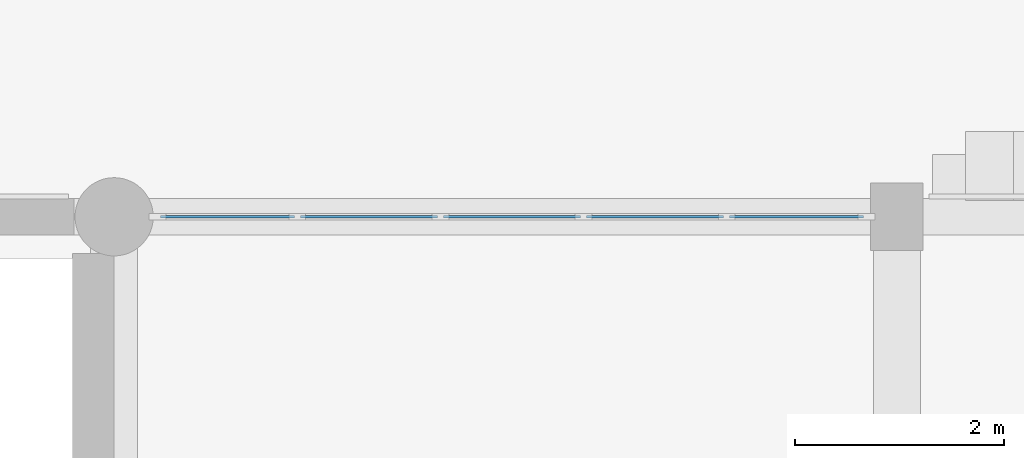
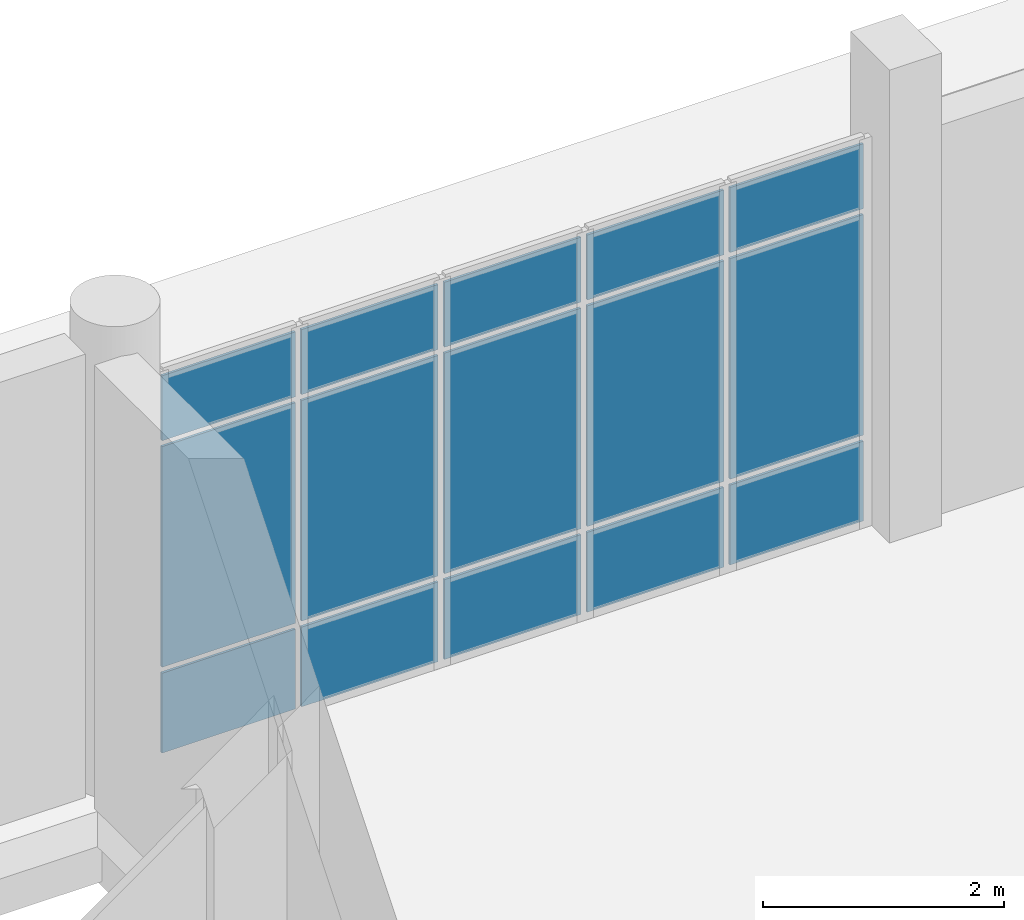
# One storey, part 81 of 125: 15 plates, 1 element without a shape of its own.
"""IFC4 building model written with IfcOpenShell, lengths in metres."""

import ifcopenshell
import ifcopenshell.guid

model = None  # the IFC model being written
_history = None  # IfcOwnerHistory: only IFC2X3 demands one
_inside = {}  # id of a spatial element -> (the spatial element, [elements in it])
_under = {}  # id of a project, library or spatial element -> (it, [spatial elements below it])
_declared = {}  # id of a project -> (the project, [libraries it declares])
_typed = {}  # id of a type object -> (the type object, [elements of that type])
_made_of = {}  # id of a material, layer set ... -> (it, [elements and type objects made of it])


def new_model(schema):
    """Start an empty IFC model of exactly this schema.

    Asked for "IFC4X3", IfcOpenShell would pick the latest addendum, in which some entities
    have other attributes; the version numbers below select the first issue.
    IFC2X3 requires an IfcOwnerHistory on every rooted entity: one is made here for all.
    """
    global model, _history
    if schema == "IFC4X3":
        model = ifcopenshell.file(schema_version=(4, 3, 0, 0))
    else:
        model = ifcopenshell.file(schema=schema)
    _inside.clear()
    _under.clear()
    _declared.clear()
    _typed.clear()
    _made_of.clear()
    _history = None
    if model.schema == "IFC2X3":
        org = make("IfcOrganization", Name="unknown")
        user = make(
            "IfcPersonAndOrganization",
            ThePerson=make("IfcPerson", FamilyName="unknown"),
            TheOrganization=org,
        )
        app = make(
            "IfcApplication",
            ApplicationDeveloper=org,
            Version="unknown",
            ApplicationFullName="unknown",
            ApplicationIdentifier="unknown",
        )
        _history = make(
            "IfcOwnerHistory",
            OwningUser=user,
            OwningApplication=app,
            ChangeAction="ADDED",
            CreationDate=0,
        )
    return model


def make(cls, **values):
    """One entity of the class cls with the attributes given. An attribute that is None is left unset."""
    return model.create_entity(
        cls, **{name: value for name, value in values.items() if value is not None}
    )


def rooted(cls, **values):
    """An entity with a GlobalId (a new one), such as an element, a storey or a relation."""
    return make(cls, GlobalId=ifcopenshell.guid.new(), OwnerHistory=_history, **values)


def si_unit(unit_type, name, prefix=None):
    """IfcSIUnit, for example si_unit("LENGTHUNIT", "METRE", prefix="MILLI")."""
    return make("IfcSIUnit", UnitType=unit_type, Prefix=prefix, Name=name)


def assignment(units):
    """IfcUnitAssignment: the units of a project."""
    return None if units is None else make("IfcUnitAssignment", Units=units)


def point(xyz):
    """IfcCartesianPoint."""
    return None if xyz is None else make("IfcCartesianPoint", Coordinates=xyz)


def direction(xyz):
    """IfcDirection."""
    return None if xyz is None else make("IfcDirection", DirectionRatios=xyz)


def frame(location, z_axis=None, x_axis=None):
    """IfcAxis2Placement3D, a coordinate frame: its origin and axes. An axis left out is left unset."""
    return make(
        "IfcAxis2Placement3D",
        Location=point(location),
        Axis=direction(z_axis),
        RefDirection=direction(x_axis),
    )


def frame_2d(location, x_axis=None):
    """IfcAxis2Placement2D, a coordinate frame in the plane: its origin and x axis."""
    return make(
        "IfcAxis2Placement2D", Location=point(location), RefDirection=direction(x_axis)
    )


def origin():
    """The frame at (0, 0, 0) with its axes left unset."""
    return frame((0.0, 0.0, 0.0))


def origin_2d():
    """The frame at (0, 0) in the plane with its x axis left unset."""
    return frame_2d((0.0, 0.0))


def place(relative_to, where):
    """IfcLocalPlacement: puts the frame where relative to a parent placement (None: the world)."""
    return make(
        "IfcLocalPlacement", PlacementRelTo=relative_to, RelativePlacement=where
    )


def context(
    kind, dimensions, precision=None, world=None, true_north=None, identifier=None
):
    """IfcGeometricRepresentationContext, for example the 3D "Model" context."""
    return make(
        "IfcGeometricRepresentationContext",
        ContextIdentifier=identifier,
        ContextType=kind,
        CoordinateSpaceDimension=dimensions,
        Precision=precision,
        WorldCoordinateSystem=world,
        TrueNorth=true_north,
    )


def subcontext(parent, identifier, kind, view, scale=None):
    """IfcGeometricRepresentationSubContext, for example "Body" below "Model"."""
    return make(
        "IfcGeometricRepresentationSubContext",
        ContextIdentifier=identifier,
        ContextType=kind,
        ParentContext=parent,
        TargetScale=scale,
        TargetView=view,
    )


def project(units=None, contexts=None):
    """IfcProject with its units and contexts."""
    return rooted(
        "IfcProject",
        Name="project",
        RepresentationContexts=contexts,
        UnitsInContext=assignment(units),
    )


def spatial(cls, under=None, at=None, **own):
    """A site, building, storey or space (cls), placed at a placement, below another one or the project."""
    s = rooted(cls, ObjectPlacement=at, **own)
    if under is not None:
        _under.setdefault(under.id(), (under, []))[1].append(s)
    return s


def profile(cls, at=None, kind="AREA", **sizes):
    """A parametric profile (cls). Its sizes go by their IFC names, for example OverallWidth=200.0."""
    return make(cls, ProfileType=kind, Position=at, **sizes)


def rectangle(**sizes):
    """IfcRectangleProfileDef."""
    return profile("IfcRectangleProfileDef", **sizes)


def extrude(swept, where, along, depth):
    """IfcExtrudedAreaSolid: the profile swept, set in the frame where, extruded along a direction by depth."""
    return make(
        "IfcExtrudedAreaSolid",
        SweptArea=swept,
        Position=where,
        ExtrudedDirection=direction(along),
        Depth=depth,
    )


def shape(context_of_items, identifier, shape_type, items):
    """IfcShapeRepresentation: the items that make up one representation, for example the "Body"."""
    return make(
        "IfcShapeRepresentation",
        ContextOfItems=context_of_items,
        RepresentationIdentifier=identifier,
        RepresentationType=shape_type,
        Items=items,
    )


def material(Name=None, Category=None):
    """IfcMaterial."""
    return make("IfcMaterial", Name=Name, Category=Category)


def layer(
    of_material, thickness, ventilated=None, Name=None, Category=None, Priority=None
):
    """IfcMaterialLayer: one layer of a wall or slab, of a material (None: an air gap)."""
    return make(
        "IfcMaterialLayer",
        Material=of_material,
        LayerThickness=thickness,
        IsVentilated=ventilated,
        Name=Name,
        Category=Category,
        Priority=Priority,
    )


def layer_set(layers, Name=None):
    """IfcMaterialLayerSet."""
    return make("IfcMaterialLayerSet", MaterialLayers=layers, LayerSetName=Name)


def made_of(thing, what):
    """Note that an element or type object is made of a material, layer set ...; save() writes the relation."""
    if what is not None:
        _made_of.setdefault(what.id(), (what, []))[1].append(thing)
    return thing


def type_object(cls, material=None, **own):
    """A type object (cls), such as IfcWallType, which elements share."""
    return made_of(rooted(cls, **own), material)


def element(
    cls,
    number,
    at=None,
    inside=None,
    cuts=None,
    type_object=None,
    material=None,
    context=None,
    identifier="Body",
    shape_type=None,
    held_by="IfcProductDefinitionShape",
    body=None,
    shapes=None,
    **own,
):
    """One element of the class cls, such as IfcWall. Its Tag is "e" and its number.

    at: its placement. inside: the storey or other place that contains it. cuts: it is an
    opening in that element (IfcRelVoidsElement). A single representation is given by context,
    identifier, shape_type and body (its items); several are given by shapes. held_by: the class
    of the entity that holds the representations. save() writes the other relations.
    """
    e = rooted(cls, Tag="e%d" % number, ObjectPlacement=at, **own)
    if body is not None:
        shapes = [shape(context, identifier, shape_type, body)]
    if shapes is not None:
        e.Representation = make(held_by, Representations=shapes)
    if inside is not None:
        _inside.setdefault(inside.id(), (inside, []))[1].append(e)
    if cuts is not None:
        rooted(
            "IfcRelVoidsElement", RelatingBuildingElement=cuts, RelatedOpeningElement=e
        )
    if type_object is not None:
        _typed.setdefault(type_object.id(), (type_object, []))[1].append(e)
    return made_of(e, material)


def aggregate(whole, parts):
    """IfcRelAggregates: a whole, such as a stair, and the parts it consists of."""
    return rooted("IfcRelAggregates", RelatingObject=whole, RelatedObjects=parts)


def save(model, path):
    """Write the relations noted so far, then the file.

    IfcRelAggregates (storeys below a building ...), IfcRelContainedInSpatialStructure (elements
    in a storey), IfcRelDefinesByType, IfcRelAssociatesMaterial and IfcRelDeclares: one each for
    every whole, place, type object, material and project.
    """
    for whole, parts in _under.values():
        aggregate(whole, parts)
    for where, things in _inside.values():
        rooted(
            "IfcRelContainedInSpatialStructure",
            RelatedElements=things,
            RelatingStructure=where,
        )
    for kind, things in _typed.values():
        rooted("IfcRelDefinesByType", RelatedObjects=things, RelatingType=kind)
    for what, things in _made_of.values():
        rooted("IfcRelAssociatesMaterial", RelatedObjects=things, RelatingMaterial=what)
    for by, libraries in _declared.values():
        rooted("IfcRelDeclares", RelatingContext=by, RelatedDefinitions=libraries)
    model.write(path)


model = new_model("IFC4")

# Units and contexts
model_context = context("Model", 3, precision=1e-05, world=origin(), true_north=direction((0.0, 1.0)))
body_context = subcontext(model_context, "Body", "Model", "MODEL_VIEW")
ifc_project = project(units=[si_unit("LENGTHUNIT", "METRE"), si_unit("AREAUNIT", "SQUARE_METRE"), si_unit("VOLUMEUNIT", "CUBIC_METRE"), si_unit("PLANEANGLEUNIT", "RADIAN"), si_unit("MASSUNIT", "GRAM", prefix="KILO")], contexts=[model_context])

# Site, building, storey
site_placement = place(None, origin())
site = spatial("IfcSite", under=ifc_project, at=site_placement, CompositionType="ELEMENT")
building_placement = place(site_placement, origin())
building = spatial("IfcBuilding", under=site, at=building_placement, Name="Dalvernix Boulevard General Hospital", CompositionType="ELEMENT")
storey_placement = place(building_placement, origin())
storey = spatial("IfcBuildingStorey", under=building, at=storey_placement, Name="L00", CompositionType="ELEMENT", Elevation=0.0)

# Curtain wall, plates
ifc_material_1 = material(Name="Thermally broken aluminium and solar-control glass curtain wall", Category="aluminium")
ifc_layer_1 = layer(ifc_material_1, 0.159912109375)
ifc_layer_set_1 = layer_set([ifc_layer_1], Name="Thermally broken aluminium and solar-control glass curtain wall (CW-CW-A-69x40)")
curtain_wall_type = type_object("IfcCurtainWallType", Name="CW-CW-A-69x40", PredefinedType="USERDEFINED", material=ifc_layer_set_1)
curtain_wall_placement = place(storey_placement, origin())
curtain_wall = element("IfcCurtainWall", 1, at=curtain_wall_placement, inside=storey, type_object=curtain_wall_type, Name="L00 curtain wall CW-A-69x40 15-15", ObjectType="GLAZED FACADE", PredefinedType="USERDEFINED")
ifc_material_2 = material(Name="Double-glazed solar-control low-emissivity glass", Category="glass")
ifc_layer_2 = layer(ifc_material_2, 0.02392578125)
ifc_layer_set_2 = layer_set([ifc_layer_2], Name="Double-glazed solar-control low-emissivity glass (PLT-CW-P1)")
plate_type = type_object("IfcPlateType", Name="PLT-CW-P1", PredefinedType="CURTAIN_PANEL", material=ifc_layer_set_2)
plate_1_placement = place(storey_placement, frame((113.58544921875, 117.0, 0.06005859375), z_axis=(0.0, 0.0, 1.0), x_axis=(1.0, 0.0, 0.0)))
plate_1 = element("IfcPlate", 2, at=plate_1_placement, type_object=plate_type, Name="CW-A-69x40 panel 1.1", PredefinedType="CURTAIN_PANEL", context=body_context, shape_type="SweptSolid", body=[
    extrude(rectangle(XDim=1.281005859375, YDim=0.02392578125, at=origin_2d()), origin(), (0.0, 0.0, 1.0), 0.81005859375),
])
plate_2_placement = place(storey_placement, frame((113.58544921875, 117.0, 0.93017578125), z_axis=(0.0, 0.0, 1.0), x_axis=(1.0, 0.0, 0.0)))
plate_2 = element("IfcPlate", 3, at=plate_2_placement, type_object=plate_type, Name="CW-A-69x40 panel 1.2", PredefinedType="CURTAIN_PANEL", context=body_context, shape_type="SweptSolid", body=[
    extrude(rectangle(XDim=1.281005859375, YDim=0.02392578125, at=origin_2d()), origin(), (0.0, 0.0, 1.0), 2.239990234375),
])
plate_3_placement = place(storey_placement, frame((113.58544921875, 117.0, 3.22998046875), z_axis=(0.0, 0.0, 1.0), x_axis=(1.0, 0.0, 0.0)))
plate_3 = element("IfcPlate", 4, at=plate_3_placement, type_object=plate_type, Name="CW-A-69x40 panel 1.3", PredefinedType="CURTAIN_PANEL", context=body_context, shape_type="SweptSolid", body=[
    extrude(rectangle(XDim=1.281005859375, YDim=0.02392578125, at=origin_2d()), origin(), (0.0, 0.0, 1.0), 0.659912109375),
])
plate_4_placement = place(storey_placement, frame((114.94140625, 117.0, 0.06005859375), z_axis=(0.0, 0.0, 1.0), x_axis=(1.0, 0.0, 0.0)))
plate_4 = element("IfcPlate", 5, at=plate_4_placement, type_object=plate_type, Name="CW-A-69x40 panel 2.1", PredefinedType="CURTAIN_PANEL", context=body_context, shape_type="SweptSolid", body=[
    extrude(rectangle(XDim=1.31103515625, YDim=0.02392578125, at=origin_2d()), origin(), (0.0, 0.0, 1.0), 0.81005859375),
])
plate_5_placement = place(storey_placement, frame((114.94140625, 117.0, 0.93017578125), z_axis=(0.0, 0.0, 1.0), x_axis=(1.0, 0.0, 0.0)))
plate_5 = element("IfcPlate", 6, at=plate_5_placement, type_object=plate_type, Name="CW-A-69x40 panel 2.2", PredefinedType="CURTAIN_PANEL", context=body_context, shape_type="SweptSolid", body=[
    extrude(rectangle(XDim=1.31103515625, YDim=0.02392578125, at=origin_2d()), origin(), (0.0, 0.0, 1.0), 2.239990234375),
])
plate_6_placement = place(storey_placement, frame((114.94140625, 117.0, 3.22998046875), z_axis=(0.0, 0.0, 1.0), x_axis=(1.0, 0.0, 0.0)))
plate_6 = element("IfcPlate", 7, at=plate_6_placement, type_object=plate_type, Name="CW-A-69x40 panel 2.3", PredefinedType="CURTAIN_PANEL", context=body_context, shape_type="SweptSolid", body=[
    extrude(rectangle(XDim=1.31103515625, YDim=0.02392578125, at=origin_2d()), origin(), (0.0, 0.0, 1.0), 0.659912109375),
])
plate_7_placement = place(storey_placement, frame((116.3125, 117.0, 0.06005859375), z_axis=(0.0, 0.0, 1.0), x_axis=(1.0, 0.0, 0.0)))
plate_7 = element("IfcPlate", 8, at=plate_7_placement, type_object=plate_type, Name="CW-A-69x40 panel 3.1", PredefinedType="CURTAIN_PANEL", context=body_context, shape_type="SweptSolid", body=[
    extrude(rectangle(XDim=1.31103515625, YDim=0.02392578125, at=origin_2d()), origin(), (0.0, 0.0, 1.0), 0.81005859375),
])
plate_8_placement = place(storey_placement, frame((116.3125, 117.0, 0.93017578125), z_axis=(0.0, 0.0, 1.0), x_axis=(1.0, 0.0, 0.0)))
plate_8 = element("IfcPlate", 9, at=plate_8_placement, type_object=plate_type, Name="CW-A-69x40 panel 3.2", PredefinedType="CURTAIN_PANEL", context=body_context, shape_type="SweptSolid", body=[
    extrude(rectangle(XDim=1.31103515625, YDim=0.02392578125, at=origin_2d()), origin(), (0.0, 0.0, 1.0), 2.239990234375),
])
plate_9_placement = place(storey_placement, frame((116.3125, 117.0, 3.22998046875), z_axis=(0.0, 0.0, 1.0), x_axis=(1.0, 0.0, 0.0)))
plate_9 = element("IfcPlate", 10, at=plate_9_placement, type_object=plate_type, Name="CW-A-69x40 panel 3.3", PredefinedType="CURTAIN_PANEL", context=body_context, shape_type="SweptSolid", body=[
    extrude(rectangle(XDim=1.31103515625, YDim=0.02392578125, at=origin_2d()), origin(), (0.0, 0.0, 1.0), 0.659912109375),
])
plate_10_placement = place(storey_placement, frame((117.68359375, 117.0, 0.06005859375), z_axis=(0.0, 0.0, 1.0), x_axis=(1.0, 0.0, 0.0)))
plate_10 = element("IfcPlate", 11, at=plate_10_placement, type_object=plate_type, Name="CW-A-69x40 panel 4.1", PredefinedType="CURTAIN_PANEL", context=body_context, shape_type="SweptSolid", body=[
    extrude(rectangle(XDim=1.31103515625, YDim=0.02392578125, at=origin_2d()), origin(), (0.0, 0.0, 1.0), 0.81005859375),
])
plate_11_placement = place(storey_placement, frame((117.68359375, 117.0, 0.93017578125), z_axis=(0.0, 0.0, 1.0), x_axis=(1.0, 0.0, 0.0)))
plate_11 = element("IfcPlate", 12, at=plate_11_placement, type_object=plate_type, Name="CW-A-69x40 panel 4.2", PredefinedType="CURTAIN_PANEL", context=body_context, shape_type="SweptSolid", body=[
    extrude(rectangle(XDim=1.31103515625, YDim=0.02392578125, at=origin_2d()), origin(), (0.0, 0.0, 1.0), 2.239990234375),
])
plate_12_placement = place(storey_placement, frame((117.68359375, 117.0, 3.22998046875), z_axis=(0.0, 0.0, 1.0), x_axis=(1.0, 0.0, 0.0)))
plate_12 = element("IfcPlate", 13, at=plate_12_placement, type_object=plate_type, Name="CW-A-69x40 panel 4.3", PredefinedType="CURTAIN_PANEL", context=body_context, shape_type="SweptSolid", body=[
    extrude(rectangle(XDim=1.31103515625, YDim=0.02392578125, at=origin_2d()), origin(), (0.0, 0.0, 1.0), 0.659912109375),
])
plate_13_placement = place(storey_placement, frame((119.03955078125, 117.0, 0.06005859375), z_axis=(0.0, 0.0, 1.0), x_axis=(1.0, 0.0, 0.0)))
plate_13 = element("IfcPlate", 14, at=plate_13_placement, type_object=plate_type, Name="CW-A-69x40 panel 5.1", PredefinedType="CURTAIN_PANEL", context=body_context, shape_type="SweptSolid", body=[
    extrude(rectangle(XDim=1.281005859375, YDim=0.02392578125, at=origin_2d()), origin(), (0.0, 0.0, 1.0), 0.81005859375),
])
plate_14_placement = place(storey_placement, frame((119.03955078125, 117.0, 0.93017578125), z_axis=(0.0, 0.0, 1.0), x_axis=(1.0, 0.0, 0.0)))
plate_14 = element("IfcPlate", 15, at=plate_14_placement, type_object=plate_type, Name="CW-A-69x40 panel 5.2", PredefinedType="CURTAIN_PANEL", context=body_context, shape_type="SweptSolid", body=[
    extrude(rectangle(XDim=1.281005859375, YDim=0.02392578125, at=origin_2d()), origin(), (0.0, 0.0, 1.0), 2.239990234375),
])
plate_15_placement = place(storey_placement, frame((119.03955078125, 117.0, 3.22998046875), z_axis=(0.0, 0.0, 1.0), x_axis=(1.0, 0.0, 0.0)))
plate_15 = element("IfcPlate", 16, at=plate_15_placement, type_object=plate_type, Name="CW-A-69x40 panel 5.3", PredefinedType="CURTAIN_PANEL", context=body_context, shape_type="SweptSolid", body=[
    extrude(rectangle(XDim=1.281005859375, YDim=0.02392578125, at=origin_2d()), origin(), (0.0, 0.0, 1.0), 0.659912109375),
])
aggregate(curtain_wall, [plate_1, plate_2, plate_3, plate_4, plate_5, plate_6, plate_7, plate_8, plate_9, plate_10, plate_11, plate_12, plate_13, plate_14, plate_15])

save(model, "model.ifc")
